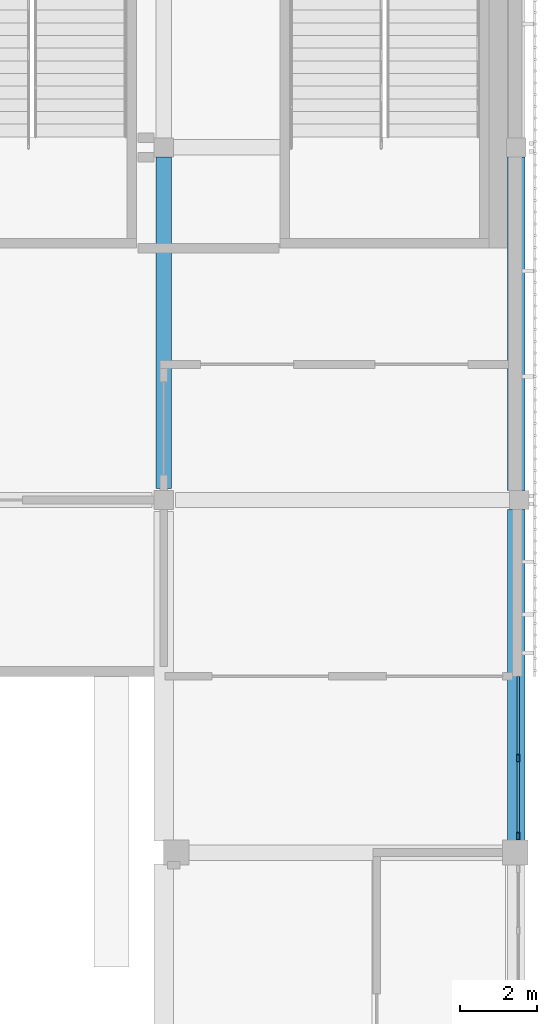
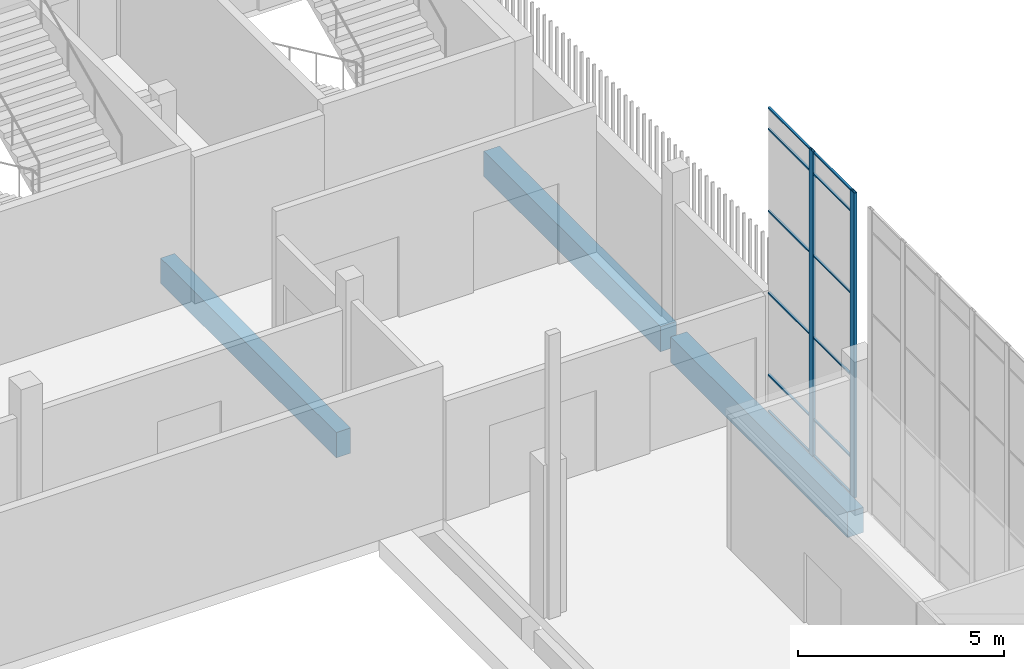
# One storey, part 28 of 91: 14 members, 3 beams, 1 element without a shape of its own.
"""IFC4 building model written with IfcOpenShell, lengths in metres."""

import ifcopenshell
import ifcopenshell.guid

model = None  # the IFC model being written
_history = None  # IfcOwnerHistory: only IFC2X3 demands one
_inside = {}  # id of a spatial element -> (the spatial element, [elements in it])
_under = {}  # id of a project, library or spatial element -> (it, [spatial elements below it])
_declared = {}  # id of a project -> (the project, [libraries it declares])
_typed = {}  # id of a type object -> (the type object, [elements of that type])
_made_of = {}  # id of a material, layer set ... -> (it, [elements and type objects made of it])


def new_model(schema):
    """Start an empty IFC model of exactly this schema.

    Asked for "IFC4X3", IfcOpenShell would pick the latest addendum, in which some entities
    have other attributes; the version numbers below select the first issue.
    IFC2X3 requires an IfcOwnerHistory on every rooted entity: one is made here for all.
    """
    global model, _history
    if schema == "IFC4X3":
        model = ifcopenshell.file(schema_version=(4, 3, 0, 0))
    else:
        model = ifcopenshell.file(schema=schema)
    _inside.clear()
    _under.clear()
    _declared.clear()
    _typed.clear()
    _made_of.clear()
    _history = None
    if model.schema == "IFC2X3":
        org = make("IfcOrganization", Name="unknown")
        user = make(
            "IfcPersonAndOrganization",
            ThePerson=make("IfcPerson", FamilyName="unknown"),
            TheOrganization=org,
        )
        app = make(
            "IfcApplication",
            ApplicationDeveloper=org,
            Version="unknown",
            ApplicationFullName="unknown",
            ApplicationIdentifier="unknown",
        )
        _history = make(
            "IfcOwnerHistory",
            OwningUser=user,
            OwningApplication=app,
            ChangeAction="ADDED",
            CreationDate=0,
        )
    return model


def make(cls, **values):
    """One entity of the class cls with the attributes given. An attribute that is None is left unset."""
    return model.create_entity(
        cls, **{name: value for name, value in values.items() if value is not None}
    )


def rooted(cls, **values):
    """An entity with a GlobalId (a new one), such as an element, a storey or a relation."""
    return make(cls, GlobalId=ifcopenshell.guid.new(), OwnerHistory=_history, **values)


def si_unit(unit_type, name, prefix=None):
    """IfcSIUnit, for example si_unit("LENGTHUNIT", "METRE", prefix="MILLI")."""
    return make("IfcSIUnit", UnitType=unit_type, Prefix=prefix, Name=name)


def assignment(units):
    """IfcUnitAssignment: the units of a project."""
    return None if units is None else make("IfcUnitAssignment", Units=units)


def point(xyz):
    """IfcCartesianPoint."""
    return None if xyz is None else make("IfcCartesianPoint", Coordinates=xyz)


def direction(xyz):
    """IfcDirection."""
    return None if xyz is None else make("IfcDirection", DirectionRatios=xyz)


def frame(location, z_axis=None, x_axis=None):
    """IfcAxis2Placement3D, a coordinate frame: its origin and axes. An axis left out is left unset."""
    return make(
        "IfcAxis2Placement3D",
        Location=point(location),
        Axis=direction(z_axis),
        RefDirection=direction(x_axis),
    )


def frame_2d(location, x_axis=None):
    """IfcAxis2Placement2D, a coordinate frame in the plane: its origin and x axis."""
    return make(
        "IfcAxis2Placement2D", Location=point(location), RefDirection=direction(x_axis)
    )


def origin():
    """The frame at (0, 0, 0) with its axes left unset."""
    return frame((0.0, 0.0, 0.0))


def origin_2d():
    """The frame at (0, 0) in the plane with its x axis left unset."""
    return frame_2d((0.0, 0.0))


def place(relative_to, where):
    """IfcLocalPlacement: puts the frame where relative to a parent placement (None: the world)."""
    return make(
        "IfcLocalPlacement", PlacementRelTo=relative_to, RelativePlacement=where
    )


def context(
    kind, dimensions, precision=None, world=None, true_north=None, identifier=None
):
    """IfcGeometricRepresentationContext, for example the 3D "Model" context."""
    return make(
        "IfcGeometricRepresentationContext",
        ContextIdentifier=identifier,
        ContextType=kind,
        CoordinateSpaceDimension=dimensions,
        Precision=precision,
        WorldCoordinateSystem=world,
        TrueNorth=true_north,
    )


def subcontext(parent, identifier, kind, view, scale=None):
    """IfcGeometricRepresentationSubContext, for example "Body" below "Model"."""
    return make(
        "IfcGeometricRepresentationSubContext",
        ContextIdentifier=identifier,
        ContextType=kind,
        ParentContext=parent,
        TargetScale=scale,
        TargetView=view,
    )


def project(units=None, contexts=None):
    """IfcProject with its units and contexts."""
    return rooted(
        "IfcProject",
        Name="project",
        RepresentationContexts=contexts,
        UnitsInContext=assignment(units),
    )


def spatial(cls, under=None, at=None, **own):
    """A site, building, storey or space (cls), placed at a placement, below another one or the project."""
    s = rooted(cls, ObjectPlacement=at, **own)
    if under is not None:
        _under.setdefault(under.id(), (under, []))[1].append(s)
    return s


def profile(cls, at=None, kind="AREA", **sizes):
    """A parametric profile (cls). Its sizes go by their IFC names, for example OverallWidth=200.0."""
    return make(cls, ProfileType=kind, Position=at, **sizes)


def rectangle(**sizes):
    """IfcRectangleProfileDef."""
    return profile("IfcRectangleProfileDef", **sizes)


def hollow_rectangle(**sizes):
    """IfcRectangleHollowProfileDef."""
    return profile("IfcRectangleHollowProfileDef", **sizes)


def extrude(swept, where, along, depth):
    """IfcExtrudedAreaSolid: the profile swept, set in the frame where, extruded along a direction by depth."""
    return make(
        "IfcExtrudedAreaSolid",
        SweptArea=swept,
        Position=where,
        ExtrudedDirection=direction(along),
        Depth=depth,
    )


def shape(context_of_items, identifier, shape_type, items):
    """IfcShapeRepresentation: the items that make up one representation, for example the "Body"."""
    return make(
        "IfcShapeRepresentation",
        ContextOfItems=context_of_items,
        RepresentationIdentifier=identifier,
        RepresentationType=shape_type,
        Items=items,
    )


def material(Name=None, Category=None):
    """IfcMaterial."""
    return make("IfcMaterial", Name=Name, Category=Category)


def layer(
    of_material, thickness, ventilated=None, Name=None, Category=None, Priority=None
):
    """IfcMaterialLayer: one layer of a wall or slab, of a material (None: an air gap)."""
    return make(
        "IfcMaterialLayer",
        Material=of_material,
        LayerThickness=thickness,
        IsVentilated=ventilated,
        Name=Name,
        Category=Category,
        Priority=Priority,
    )


def layer_set(layers, Name=None):
    """IfcMaterialLayerSet."""
    return make("IfcMaterialLayerSet", MaterialLayers=layers, LayerSetName=Name)


def material_profile(
    of_material, cross_section, Name=None, Category=None, Priority=None
):
    """IfcMaterialProfile: a cross section and its material."""
    return make(
        "IfcMaterialProfile",
        Name=Name,
        Material=of_material,
        Profile=cross_section,
        Priority=Priority,
        Category=Category,
    )


def profile_set(profiles, Name=None, composite=None):
    """IfcMaterialProfileSet."""
    return make(
        "IfcMaterialProfileSet",
        Name=Name,
        MaterialProfiles=profiles,
        CompositeProfile=composite,
    )


def made_of(thing, what):
    """Note that an element or type object is made of a material, layer set ...; save() writes the relation."""
    if what is not None:
        _made_of.setdefault(what.id(), (what, []))[1].append(thing)
    return thing


def type_object(cls, material=None, **own):
    """A type object (cls), such as IfcWallType, which elements share."""
    return made_of(rooted(cls, **own), material)


def element(
    cls,
    number,
    at=None,
    inside=None,
    cuts=None,
    type_object=None,
    material=None,
    context=None,
    identifier="Body",
    shape_type=None,
    held_by="IfcProductDefinitionShape",
    body=None,
    shapes=None,
    **own,
):
    """One element of the class cls, such as IfcWall. Its Tag is "e" and its number.

    at: its placement. inside: the storey or other place that contains it. cuts: it is an
    opening in that element (IfcRelVoidsElement). A single representation is given by context,
    identifier, shape_type and body (its items); several are given by shapes. held_by: the class
    of the entity that holds the representations. save() writes the other relations.
    """
    e = rooted(cls, Tag="e%d" % number, ObjectPlacement=at, **own)
    if body is not None:
        shapes = [shape(context, identifier, shape_type, body)]
    if shapes is not None:
        e.Representation = make(held_by, Representations=shapes)
    if inside is not None:
        _inside.setdefault(inside.id(), (inside, []))[1].append(e)
    if cuts is not None:
        rooted(
            "IfcRelVoidsElement", RelatingBuildingElement=cuts, RelatedOpeningElement=e
        )
    if type_object is not None:
        _typed.setdefault(type_object.id(), (type_object, []))[1].append(e)
    return made_of(e, material)


def aggregate(whole, parts):
    """IfcRelAggregates: a whole, such as a stair, and the parts it consists of."""
    return rooted("IfcRelAggregates", RelatingObject=whole, RelatedObjects=parts)


def save(model, path):
    """Write the relations noted so far, then the file.

    IfcRelAggregates (storeys below a building ...), IfcRelContainedInSpatialStructure (elements
    in a storey), IfcRelDefinesByType, IfcRelAssociatesMaterial and IfcRelDeclares: one each for
    every whole, place, type object, material and project.
    """
    for whole, parts in _under.values():
        aggregate(whole, parts)
    for where, things in _inside.values():
        rooted(
            "IfcRelContainedInSpatialStructure",
            RelatedElements=things,
            RelatingStructure=where,
        )
    for kind, things in _typed.values():
        rooted("IfcRelDefinesByType", RelatedObjects=things, RelatingType=kind)
    for what, things in _made_of.values():
        rooted("IfcRelAssociatesMaterial", RelatedObjects=things, RelatingMaterial=what)
    for by, libraries in _declared.values():
        rooted("IfcRelDeclares", RelatingContext=by, RelatedDefinitions=libraries)
    model.write(path)


model = new_model("IFC4")

# Units and contexts
model_context = context("Model", 3, precision=1e-05, world=origin(), true_north=direction((0.0, 1.0)))
body_context = subcontext(model_context, "Body", "Model", "MODEL_VIEW")
ifc_project = project(units=[si_unit("LENGTHUNIT", "METRE"), si_unit("AREAUNIT", "SQUARE_METRE"), si_unit("VOLUMEUNIT", "CUBIC_METRE"), si_unit("PLANEANGLEUNIT", "RADIAN"), si_unit("MASSUNIT", "GRAM", prefix="KILO")], contexts=[model_context])

# Site, building, storey
site_placement = place(None, origin())
site = spatial("IfcSite", under=ifc_project, at=site_placement, CompositionType="ELEMENT")
building_placement = place(site_placement, origin())
building = spatial("IfcBuilding", under=site, at=building_placement, Name="Shirokan Park Arena", CompositionType="ELEMENT")
storey_placement = place(building_placement, frame((0.0, 0.0, 24.570068359375)))
storey = spatial("IfcBuildingStorey", under=building, at=storey_placement, Name="L05", CompositionType="ELEMENT", Elevation=24.570068359375)

# Curtain wall, members
ifc_material_1 = material(Name="Steel and glass curtain wall", Category="steel")
ifc_layer = layer(ifc_material_1, 0.199951171875)
ifc_layer_set = layer_set([ifc_layer], Name="Steel and glass curtain wall 200 mm")
curtain_wall_type = type_object("IfcCurtainWallType", Name="Curtain wall hall bay 200", PredefinedType="NOTDEFINED", material=ifc_layer_set)
curtain_wall_placement = place(storey_placement, origin())
curtain_wall = element("IfcCurtainWall", 1, at=curtain_wall_placement, inside=storey, type_object=curtain_wall_type, Name="Curtain wall east bay 8 L05", PredefinedType="NOTDEFINED")
ifc_material_2 = material(Name="Steel S355", Category="steel")
ifc_material_profile_1 = material_profile(ifc_material_2, hollow_rectangle(XDim=0.080078125, YDim=0.199951171875, WallThickness=0.008056640625, at=origin_2d()), Name="RHS 200x80x8")
ifc_profile_set_1 = profile_set([ifc_material_profile_1], Name="Steel S355")
member_type_1 = type_object("IfcMemberType", Name="Mullion RHS 200x80x8", PredefinedType="MULLION", material=ifc_profile_set_1)
member_1_placement = place(storey_placement, frame((145.64990234375, 64.125, 0.0), z_axis=(0.0, 0.0, 1.0), x_axis=(-1.0, 0.0, 0.0)))
member_1 = element("IfcMember", 2, at=member_1_placement, type_object=member_type_1, Name="CW5 mullion 1", PredefinedType="MULLION", context=body_context, shape_type="SweptSolid", body=[
    extrude(hollow_rectangle(XDim=0.080078125, YDim=0.199951171875, WallThickness=0.008056640625, at=origin_2d()), origin(), (0.0, 0.0, 1.0), 9.050048828125),
])
member_2_placement = place(storey_placement, frame((145.64990234375, 66.137451171875, 0.0), z_axis=(0.0, 0.0, 1.0), x_axis=(-1.0, 0.0, 0.0)))
member_2 = element("IfcMember", 3, at=member_2_placement, type_object=member_type_1, Name="CW5 mullion 2", PredefinedType="MULLION", context=body_context, shape_type="SweptSolid", body=[
    extrude(hollow_rectangle(XDim=0.080078125, YDim=0.199951171875, WallThickness=0.008056640625, at=origin_2d()), origin(), (0.0, 0.0, 1.0), 9.050048828125),
])

# Beams
ifc_material_3 = material(Name="Concrete C35", Category="concrete")
ifc_material_profile_2 = material_profile(ifc_material_3, rectangle(XDim=0.39990234375, YDim=0.75, at=origin_2d()), Name="400x750")
ifc_profile_set_2 = profile_set([ifc_material_profile_2], Name="Concrete C35")
beam_type_1 = type_object("IfcBeamType", Name="RC girder 400x750", PredefinedType="BEAM", material=ifc_profile_set_2)
beam_1_placement = place(storey_placement, frame((136.5, 73.10009765625, -0.675048828125), z_axis=(0.0, 1.0, 0.0), x_axis=(-1.0, 0.0, 0.0)))
element("IfcBeam", 4, at=beam_1_placement, inside=storey, type_object=beam_type_1, Name="Girder 16J-16K L05", PredefinedType="BEAM", context=body_context, shape_type="SweptSolid", body=[
    extrude(rectangle(XDim=0.39990234375, YDim=0.75, at=origin_2d()), origin(), (0.0, 0.0, 1.0), 8.5498046875),
])
ifc_material_profile_3 = material_profile(ifc_material_3, rectangle(XDim=0.449951171875, YDim=0.75, at=origin_2d()), Name="450x750")
ifc_profile_set_3 = profile_set([ifc_material_profile_3], Name="Concrete C35")
beam_type_2 = type_object("IfcBeamType", Name="RC girder 450x750", PredefinedType="BEAM", material=ifc_profile_set_3)
beam_2_placement = place(storey_placement, frame((145.60009765625, 63.9501953125, -0.675048828125), z_axis=(0.0, 1.0, 0.0), x_axis=(-1.0, 0.0, 0.0)))
element("IfcBeam", 5, at=beam_2_placement, inside=storey, type_object=beam_type_2, Name="Girder 17H-17J L05", PredefinedType="BEAM", context=body_context, shape_type="SweptSolid", body=[
    extrude(rectangle(XDim=0.449951171875, YDim=0.75, at=origin_2d()), origin(), (0.0, 0.0, 1.0), 8.599609375),
])
beam_3_placement = place(storey_placement, frame((145.60009765625, 73.050048828125, -0.675048828125), z_axis=(0.0, 1.0, 0.0), x_axis=(-1.0, 0.0, 0.0)))
element("IfcBeam", 6, at=beam_3_placement, inside=storey, type_object=beam_type_2, Name="Girder 17J-17K L05", PredefinedType="BEAM", context=body_context, shape_type="SweptSolid", body=[
    extrude(rectangle(XDim=0.449951171875, YDim=0.75, at=origin_2d()), origin(), (0.0, 0.0, 1.0), 8.599853515625),
])

# Member
ifc_material_profile_4 = material_profile(ifc_material_2, hollow_rectangle(XDim=0.06005859375, YDim=0.0400390625, WallThickness=0.00390625, at=origin_2d()), Name="RHS 60x40x4")
ifc_profile_set_4 = profile_set([ifc_material_profile_4], Name="Steel S355")
member_type_2 = type_object("IfcMemberType", Name="Transom RHS 60x40x4", PredefinedType="MULLION", material=ifc_profile_set_4)
member_3_placement = place(storey_placement, frame((145.64990234375, 64.22509765625, 0.02001953125), z_axis=(0.0, 1.0, 0.0), x_axis=(-1.0, 0.0, 0.0)))
member_3 = element("IfcMember", 7, at=member_3_placement, type_object=member_type_2, Name="CW5 transom 1.1", PredefinedType="MULLION", context=body_context, shape_type="SweptSolid", body=[
    extrude(hollow_rectangle(XDim=0.06005859375, YDim=0.0400390625, WallThickness=0.00390625, at=origin_2d()), origin(), (0.0, 0.0, 1.0), 1.8125),
])

member_4_placement = place(storey_placement, frame((145.64990234375, 64.22509765625, 1.099853515625), z_axis=(0.0, 1.0, 0.0), x_axis=(-1.0, 0.0, 0.0)))
member_4 = element("IfcMember", 8, at=member_4_placement, type_object=member_type_2, Name="CW5 transom 1.2", PredefinedType="MULLION", context=body_context, shape_type="SweptSolid", body=[
    extrude(hollow_rectangle(XDim=0.06005859375, YDim=0.0400390625, WallThickness=0.00390625, at=origin_2d()), origin(), (0.0, 0.0, 1.0), 1.8125),
])

member_5_placement = place(storey_placement, frame((145.64990234375, 64.22509765625, 3.533203125), z_axis=(0.0, 1.0, 0.0), x_axis=(-1.0, 0.0, 0.0)))
member_5 = element("IfcMember", 9, at=member_5_placement, type_object=member_type_2, Name="CW5 transom 1.3", PredefinedType="MULLION", context=body_context, shape_type="SweptSolid", body=[
    extrude(hollow_rectangle(XDim=0.06005859375, YDim=0.0400390625, WallThickness=0.00390625, at=origin_2d()), origin(), (0.0, 0.0, 1.0), 1.8125),
])

member_6_placement = place(storey_placement, frame((145.64990234375, 64.22509765625, 5.966552734375), z_axis=(0.0, 1.0, 0.0), x_axis=(-1.0, 0.0, 0.0)))
member_6 = element("IfcMember", 10, at=member_6_placement, type_object=member_type_2, Name="CW5 transom 1.4", PredefinedType="MULLION", context=body_context, shape_type="SweptSolid", body=[
    extrude(hollow_rectangle(XDim=0.06005859375, YDim=0.0400390625, WallThickness=0.00390625, at=origin_2d()), origin(), (0.0, 0.0, 1.0), 1.8125),
])

member_7_placement = place(storey_placement, frame((145.64990234375, 64.22509765625, 8.39990234375), z_axis=(0.0, 1.0, 0.0), x_axis=(-1.0, 0.0, 0.0)))
member_7 = element("IfcMember", 11, at=member_7_placement, type_object=member_type_2, Name="CW5 transom 1.5", PredefinedType="MULLION", context=body_context, shape_type="SweptSolid", body=[
    extrude(hollow_rectangle(XDim=0.06005859375, YDim=0.0400390625, WallThickness=0.00390625, at=origin_2d()), origin(), (0.0, 0.0, 1.0), 1.8125),
])

member_8_placement = place(storey_placement, frame((145.64990234375, 64.22509765625, 9.030029296875), z_axis=(0.0, 1.0, 0.0), x_axis=(-1.0, 0.0, 0.0)))
member_8 = element("IfcMember", 12, at=member_8_placement, type_object=member_type_2, Name="CW5 transom 1.6", PredefinedType="MULLION", context=body_context, shape_type="SweptSolid", body=[
    extrude(hollow_rectangle(XDim=0.06005859375, YDim=0.0400390625, WallThickness=0.00390625, at=origin_2d()), origin(), (0.0, 0.0, 1.0), 1.8125),
])

member_9_placement = place(storey_placement, frame((145.64990234375, 66.237548828125, 0.02001953125), z_axis=(0.0, 1.0, 0.0), x_axis=(-1.0, 0.0, 0.0)))
member_9 = element("IfcMember", 13, at=member_9_placement, type_object=member_type_2, Name="CW5 transom 2.1", PredefinedType="MULLION", context=body_context, shape_type="SweptSolid", body=[
    extrude(hollow_rectangle(XDim=0.06005859375, YDim=0.0400390625, WallThickness=0.00390625, at=origin_2d()), origin(), (0.0, 0.0, 1.0), 2.012451171875),
])

member_10_placement = place(storey_placement, frame((145.64990234375, 66.237548828125, 1.099853515625), z_axis=(0.0, 1.0, 0.0), x_axis=(-1.0, 0.0, 0.0)))
member_10 = element("IfcMember", 14, at=member_10_placement, type_object=member_type_2, Name="CW5 transom 2.2", PredefinedType="MULLION", context=body_context, shape_type="SweptSolid", body=[
    extrude(hollow_rectangle(XDim=0.06005859375, YDim=0.0400390625, WallThickness=0.00390625, at=origin_2d()), origin(), (0.0, 0.0, 1.0), 2.012451171875),
])

member_11_placement = place(storey_placement, frame((145.64990234375, 66.237548828125, 3.533203125), z_axis=(0.0, 1.0, 0.0), x_axis=(-1.0, 0.0, 0.0)))
member_11 = element("IfcMember", 15, at=member_11_placement, type_object=member_type_2, Name="CW5 transom 2.3", PredefinedType="MULLION", context=body_context, shape_type="SweptSolid", body=[
    extrude(hollow_rectangle(XDim=0.06005859375, YDim=0.0400390625, WallThickness=0.00390625, at=origin_2d()), origin(), (0.0, 0.0, 1.0), 2.012451171875),
])

member_12_placement = place(storey_placement, frame((145.64990234375, 66.237548828125, 5.966552734375), z_axis=(0.0, 1.0, 0.0), x_axis=(-1.0, 0.0, 0.0)))
member_12 = element("IfcMember", 16, at=member_12_placement, type_object=member_type_2, Name="CW5 transom 2.4", PredefinedType="MULLION", context=body_context, shape_type="SweptSolid", body=[
    extrude(hollow_rectangle(XDim=0.06005859375, YDim=0.0400390625, WallThickness=0.00390625, at=origin_2d()), origin(), (0.0, 0.0, 1.0), 2.012451171875),
])

member_13_placement = place(storey_placement, frame((145.64990234375, 66.237548828125, 8.39990234375), z_axis=(0.0, 1.0, 0.0), x_axis=(-1.0, 0.0, 0.0)))
member_13 = element("IfcMember", 17, at=member_13_placement, type_object=member_type_2, Name="CW5 transom 2.5", PredefinedType="MULLION", context=body_context, shape_type="SweptSolid", body=[
    extrude(hollow_rectangle(XDim=0.06005859375, YDim=0.0400390625, WallThickness=0.00390625, at=origin_2d()), origin(), (0.0, 0.0, 1.0), 2.012451171875),
])

member_14_placement = place(storey_placement, frame((145.64990234375, 66.237548828125, 9.030029296875), z_axis=(0.0, 1.0, 0.0), x_axis=(-1.0, 0.0, 0.0)))
member_14 = element("IfcMember", 18, at=member_14_placement, type_object=member_type_2, Name="CW5 transom 2.6", PredefinedType="MULLION", context=body_context, shape_type="SweptSolid", body=[
    extrude(hollow_rectangle(XDim=0.06005859375, YDim=0.0400390625, WallThickness=0.00390625, at=origin_2d()), origin(), (0.0, 0.0, 1.0), 2.012451171875),
])

aggregate(curtain_wall, [member_1, member_2, member_3, member_4, member_5, member_6, member_7, member_8, member_9, member_10, member_11, member_12, member_13, member_14])

save(model, "model.ifc")
